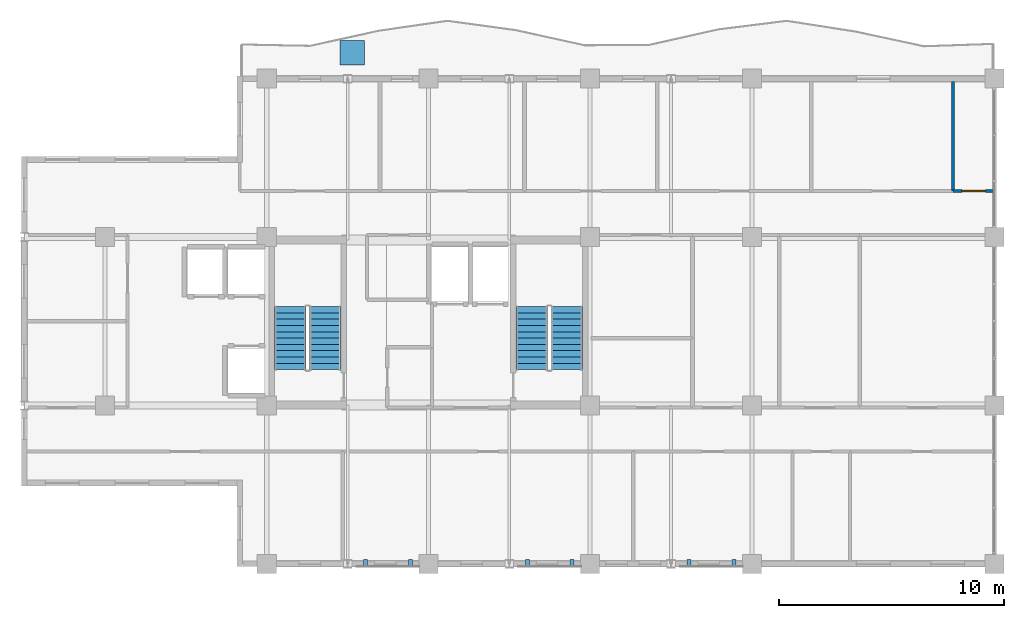
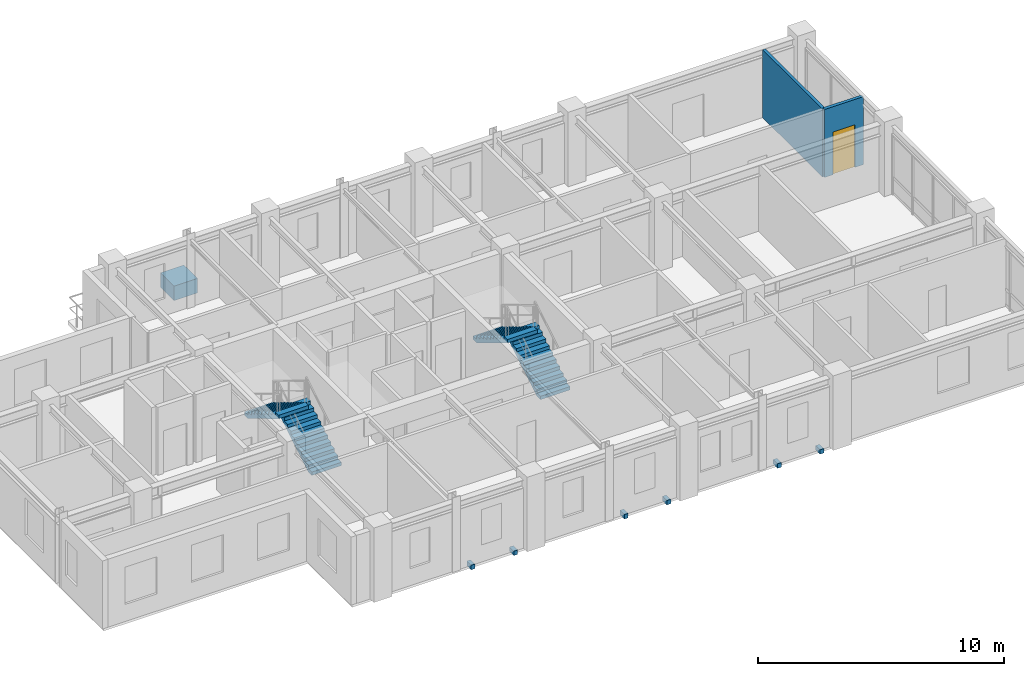
# One storey, part 9 of 10: 7 discrete accessories, 4 stair flights, 2 walls, 1 door, 1 opening, 2 elements without a shape of their own.
"""IFC4 building model written with IfcOpenShell, lengths in metres."""

from ifc_helpers import new_model, si_unit, direction, frame, frame_2d, origin, origin_2d, place, context, subcontext, project, spatial, polyline, rectangle, outline, extrude, source, transform, mapped, material, layer, layer_set, type_object, element, fill, aggregate, save


model = new_model("IFC4")

# Units and contexts
model_context = context("Model", 3, precision=1e-05, world=origin(), true_north=direction((0.0, 1.0)))
body_context = subcontext(model_context, "Body", "Model", "MODEL_VIEW")
ifc_project = project(units=[si_unit("LENGTHUNIT", "METRE"), si_unit("AREAUNIT", "SQUARE_METRE"), si_unit("VOLUMEUNIT", "CUBIC_METRE"), si_unit("PLANEANGLEUNIT", "RADIAN"), si_unit("MASSUNIT", "GRAM", prefix="KILO")], contexts=[model_context])

# Site, building, storey
site_placement = place(None, origin())
site = spatial("IfcSite", under=ifc_project, at=site_placement, CompositionType="ELEMENT")
building_placement = place(site_placement, origin())
building = spatial("IfcBuilding", under=site, at=building_placement, Name="Kaliganga Portal Commons", CompositionType="ELEMENT")
storey_placement = place(building_placement, frame((0.0, 0.0, 294.300048828125)))
storey = spatial("IfcBuildingStorey", under=building, at=storey_placement, Name="L76", CompositionType="ELEMENT", Elevation=294.300048828125)

# Wall, opening, door
ifc_material_1 = material(Name="Fire-Rated Gypsum Board on Steel Stud", Category="steel")
ifc_layer_1 = layer(ifc_material_1, 0.14990234375)
ifc_layer_set_1 = layer_set([ifc_layer_1], Name="Fire-Rated Gypsum Board on Steel Stud")
wall_type_1 = type_object("IfcWallType", Name="WL-PART-CORR-150", PredefinedType="PARTITIONING", material=ifc_layer_set_1)
wall_1_placement = place(storey_placement, frame((44.9599609375, 38.199951171875, 0.0), z_axis=(0.0, 0.0, 1.0), x_axis=(1.0, 0.0, 0.0)))
wall_1 = element("IfcWall", 1, at=wall_1_placement, inside=storey, type_object=wall_type_1, Name="Interior Partition L76-032", PredefinedType="PARTITIONING", context=body_context, shape_type="SweptSolid", body=[
    extrude(rectangle(XDim=1.820068359375, YDim=0.14990234375, at=frame_2d((0.91015625, 0.0))), origin(), (0.0, 0.0, 1.0), 3.3798828125),
])
opening_placement = place(wall_1_placement, frame((0.385009765625, 0.0, 0.0)))
opening = element("IfcOpeningElement", 2, at=opening_placement, cuts=wall_1, Name="Opening UD-02", PredefinedType="OPENING", context=body_context, shape_type="SweptSolid", body=[
    extrude(rectangle(XDim=1.050048828125, YDim=2.1201171875, at=frame_2d((0.52490234375, 1.06005859375))), frame((0.0, 0.0849609375, 0.0), z_axis=(0.0, -1.0, 0.0), x_axis=(1.0, 0.0, 0.0)), (0.0, 0.0, 1.0), 0.169921875),
])
ifc_material_2 = material(Name="Accessible Wide-Leaf Acoustic Fire Door", Category="wood")
door_type = type_object("IfcDoorType", Name="DR-ACC-1050", OperationType="NOTDEFINED", PredefinedType="DOOR", material=ifc_material_2)
door_placement = place(opening_placement, origin())
door = element("IfcDoor", 3, at=door_placement, inside=storey, type_object=door_type, Name="Interior Door L76-AN06", OperationType="SINGLE_SWING_RIGHT", OverallHeight=2.1201171875, OverallWidth=1.050048828125, PredefinedType="DOOR", context=body_context, shape_type="SweptSolid", body=[
    extrude(rectangle(XDim=1.050048828125, YDim=2.1201171875, at=frame_2d((0.52490234375, 1.06005859375))), frame((0.0, 0.02490234375, 0.0), z_axis=(0.0, -1.0, 0.0), x_axis=(1.0, 0.0, 0.0)), (0.0, 0.0, 1.0), 0.050048828125),
])
fill(opening, door)

# Wall
ifc_material_3 = material(Name="Cement-Board Wet-Room Partition", Category="gypsum")
ifc_layer_2 = layer(ifc_material_3, 0.135009765625)
ifc_layer_set_2 = layer_set([ifc_layer_2], Name="Cement-Board Wet-Room Partition")
wall_type_2 = type_object("IfcWallType", Name="WL-PART-WET-135", PredefinedType="PARTITIONING", material=ifc_layer_set_2)
wall_2_placement = place(storey_placement, frame((44.9599609375, 38.199951171875, 0.0), z_axis=(0.0, 0.0, 1.0), x_axis=(0.0, 1.0, 0.0)))
element("IfcWall", 4, at=wall_2_placement, inside=storey, type_object=wall_type_2, Name="Interior Partition L76-045", PredefinedType="PARTITIONING", context=body_context, shape_type="SweptSolid", body=[
    extrude(rectangle(XDim=4.8681640625, YDim=0.135009765625, at=frame_2d((2.43408203125, 0.0))), origin(), (0.0, 0.0, 1.0), 3.3798828125),
])

# Stair, stair flights
ifc_material_4 = material(Name="Concrete C40/50", Category="concrete")
stair_type = type_object("IfcStairType", Name="ST-CORE-DOGLEG", PredefinedType="HALF_TURN_STAIR", material=ifc_material_4)
stair_1_placement = place(storey_placement, origin())
stair_1 = element("IfcStair", 5, at=stair_1_placement, inside=storey, type_object=stair_type, Name="L76 Protected Exit Stair ST-A1", PredefinedType="HALF_TURN_STAIR")
stair_flight_type = type_object("IfcStairFlightType", Name="STF-RC-1400", PredefinedType="STRAIGHT", material=ifc_material_4)
stair_flight_1_placement = place(storey_placement, frame((17.0, 30.25, 0.0), z_axis=(0.0, 0.0, 1.0), x_axis=(0.0, 1.0, 0.0)))
stair_flight_1 = element("IfcStairFlight", 6, at=stair_flight_1_placement, type_object=stair_flight_type, Name="ST-A1 flight 1", NumberOfRisers=11, NumberOfTreads=10, PredefinedType="STRAIGHT", RiserHeight=0.168181818, TreadLength=0.28, context=body_context, shape_type="SweptSolid", body=[
    extrude(outline(polyline([(0.0, 0.0), (0.0, 0.168212890625), (0.280029296875, 0.168212890625), (0.280029296875, 0.33642578125), (0.56005859375, 0.33642578125), (0.56005859375, 0.504638671875), (0.840087890625, 0.504638671875), (0.840087890625, 0.672607421875), (1.1201171875, 0.672607421875), (1.1201171875, 0.8408203125), (1.39990234375, 0.8408203125), (1.39990234375, 1.009033203125), (1.679931640625, 1.009033203125), (1.679931640625, 1.17724609375), (1.9599609375, 1.17724609375), (1.9599609375, 1.345458984375), (2.239990234375, 1.345458984375), (2.239990234375, 1.513671875), (2.52001953125, 1.513671875), (2.52001953125, 1.681884765625), (2.800048828125, 1.681884765625), (2.800048828125, 1.85009765625), (2.800048828125, 1.5068359375), (0.291015625, 0.0), (0.0, 0.0)])), frame((0.0, 0.699951171875, 0.0), z_axis=(0.0, -1.0, 0.0), x_axis=(1.0, 0.0, 0.0)), (0.0, 0.0, 1.0), 1.39990234375),
])
stair_flight_2_placement = place(storey_placement, frame((15.449951171875, 33.050048828125, 1.849853515625), z_axis=(0.0, 0.0, 1.0), x_axis=(0.0, -1.0, 0.0)))
stair_flight_2 = element("IfcStairFlight", 7, at=stair_flight_2_placement, type_object=stair_flight_type, Name="ST-A1 flight 2", NumberOfRisers=11, NumberOfTreads=10, PredefinedType="STRAIGHT", RiserHeight=0.168181818, TreadLength=0.28, context=body_context, shape_type="SweptSolid", body=[
    extrude(outline(polyline([(0.0, 0.0), (0.0, 0.168212890625), (0.280029296875, 0.168212890625), (0.280029296875, 0.33642578125), (0.56005859375, 0.33642578125), (0.56005859375, 0.504638671875), (0.840087890625, 0.504638671875), (0.840087890625, 0.672607421875), (1.1201171875, 0.672607421875), (1.1201171875, 0.8408203125), (1.39990234375, 0.8408203125), (1.39990234375, 1.009033203125), (1.679931640625, 1.009033203125), (1.679931640625, 1.17724609375), (1.9599609375, 1.17724609375), (1.9599609375, 1.345458984375), (2.239990234375, 1.345458984375), (2.239990234375, 1.513671875), (2.52001953125, 1.513671875), (2.52001953125, 1.681884765625), (2.800048828125, 1.681884765625), (2.800048828125, 1.85009765625), (2.800048828125, 1.5068359375), (0.291015625, 0.0), (0.0, 0.0)])), frame((0.0, 0.699951171875, 0.0), z_axis=(0.0, -1.0, 0.0), x_axis=(1.0, 0.0, 0.0)), (0.0, 0.0, 1.0), 1.39990234375),
])
aggregate(stair_1, [stair_flight_1, stair_flight_2])

stair_2_placement = place(storey_placement, origin())
stair_2 = element("IfcStair", 8, at=stair_2_placement, inside=storey, type_object=stair_type, Name="L76 Protected Exit Stair ST-A2", PredefinedType="HALF_TURN_STAIR")
stair_flight_3_placement = place(storey_placement, frame((27.75, 30.25, 0.0), z_axis=(0.0, 0.0, 1.0), x_axis=(0.0, 1.0, 0.0)))
stair_flight_3 = element("IfcStairFlight", 9, at=stair_flight_3_placement, type_object=stair_flight_type, Name="ST-A2 flight 1", NumberOfRisers=11, NumberOfTreads=10, PredefinedType="STRAIGHT", RiserHeight=0.168181818, TreadLength=0.28, context=body_context, shape_type="SweptSolid", body=[
    extrude(outline(polyline([(0.0, 0.0), (0.0, 0.168212890625), (0.280029296875, 0.168212890625), (0.280029296875, 0.33642578125), (0.56005859375, 0.33642578125), (0.56005859375, 0.504638671875), (0.840087890625, 0.504638671875), (0.840087890625, 0.672607421875), (1.1201171875, 0.672607421875), (1.1201171875, 0.8408203125), (1.39990234375, 0.8408203125), (1.39990234375, 1.009033203125), (1.679931640625, 1.009033203125), (1.679931640625, 1.17724609375), (1.9599609375, 1.17724609375), (1.9599609375, 1.345458984375), (2.239990234375, 1.345458984375), (2.239990234375, 1.513671875), (2.52001953125, 1.513671875), (2.52001953125, 1.681884765625), (2.800048828125, 1.681884765625), (2.800048828125, 1.85009765625), (2.800048828125, 1.5068359375), (0.291015625, 0.0), (0.0, 0.0)])), frame((0.0, 0.699951171875, 0.0), z_axis=(0.0, -1.0, 0.0), x_axis=(1.0, 0.0, 0.0)), (0.0, 0.0, 1.0), 1.39990234375),
])
stair_flight_4_placement = place(storey_placement, frame((26.199951171875, 33.050048828125, 1.849853515625), z_axis=(0.0, 0.0, 1.0), x_axis=(0.0, -1.0, 0.0)))
stair_flight_4 = element("IfcStairFlight", 10, at=stair_flight_4_placement, type_object=stair_flight_type, Name="ST-A2 flight 2", NumberOfRisers=11, NumberOfTreads=10, PredefinedType="STRAIGHT", RiserHeight=0.168181818, TreadLength=0.28, context=body_context, shape_type="SweptSolid", body=[
    extrude(outline(polyline([(0.0, 0.0), (0.0, 0.168212890625), (0.280029296875, 0.168212890625), (0.280029296875, 0.33642578125), (0.56005859375, 0.33642578125), (0.56005859375, 0.504638671875), (0.840087890625, 0.504638671875), (0.840087890625, 0.672607421875), (1.1201171875, 0.672607421875), (1.1201171875, 0.8408203125), (1.39990234375, 0.8408203125), (1.39990234375, 1.009033203125), (1.679931640625, 1.009033203125), (1.679931640625, 1.17724609375), (1.9599609375, 1.17724609375), (1.9599609375, 1.345458984375), (2.239990234375, 1.345458984375), (2.239990234375, 1.513671875), (2.52001953125, 1.513671875), (2.52001953125, 1.681884765625), (2.800048828125, 1.681884765625), (2.800048828125, 1.85009765625), (2.800048828125, 1.5068359375), (0.291015625, 0.0), (0.0, 0.0)])), frame((0.0, 0.699951171875, 0.0), z_axis=(0.0, -1.0, 0.0), x_axis=(1.0, 0.0, 0.0)), (0.0, 0.0, 1.0), 1.39990234375),
])
aggregate(stair_2, [stair_flight_3, stair_flight_4])

# Discrete accessories
ifc_material_5 = material(Name="Precast concrete C40/50", Category="concrete")
discrete_accessory_type_1 = type_object("IfcDiscreteAccessoryType", Name="DAC-PLANTER-RC", PredefinedType="USERDEFINED", material=ifc_material_5)
shared_shape_1 = source(origin(), body_context, "Body", "SweptSolid", [
    extrude(rectangle(XDim=1.10009765625, YDim=1.10009765625, at=origin_2d()), origin(), (0.0, 0.0, 1.0), 0.719970703125),
])
discrete_accessory_placement = place(storey_placement, frame((18.199951171875, 44.35009765625, 0.0), z_axis=(0.0, 0.0, 1.0), x_axis=(1.0, 0.0, 0.0)))
element("IfcDiscreteAccessory", 11, at=discrete_accessory_placement, inside=storey, type_object=discrete_accessory_type_1, Name="Structural Tree Planter L76 balc_north", ObjectType="PLANTER", PredefinedType="USERDEFINED", context=body_context, shape_type="MappedRepresentation", body=[
    mapped(shared_shape_1, transform((0.0, 0.0, 0.0), x_axis=(1.0, 0.0, 0.0), y_axis=(0.0, 1.0, 0.0), z_axis=(0.0, 0.0, 1.0), scale=1.0)),
])
ifc_material_6 = material(Name="Structural steel S355J2", Category="steel")
discrete_accessory_type_2 = type_object("IfcDiscreteAccessoryType", Name="DAC-BRK-SCR", PredefinedType="BRACKET", material=ifc_material_6)
shared_shape_2 = source(origin(), body_context, "Body", "SweptSolid", [
    extrude(rectangle(XDim=0.179931640625, YDim=0.360107421875, at=origin_2d()), origin(), (0.0, 0.0, 1.0), 0.219970703125),
])
for number, where, z_axis, x_axis, name in (
    (12, (18.800048828125, 21.6201171875, -0.18994140625), (0.0, 0.0, 1.0), (1.0, 0.0, 0.0), "Solar Screen Outrigger Bracket L76-S1-1"),
    (13, (20.800048828125, 21.6201171875, -0.18994140625), (0.0, 0.0, 1.0), (1.0, 0.0, 0.0), "Solar Screen Outrigger Bracket L76-S1-2"),
    (14, (26.0, 21.6201171875, -0.18994140625), (0.0, 0.0, 1.0), (1.0, 0.0, 0.0), "Solar Screen Outrigger Bracket L76-S2-1"),
    (15, (28.0, 21.6201171875, -0.18994140625), (0.0, 0.0, 1.0), (1.0, 0.0, 0.0), "Solar Screen Outrigger Bracket L76-S2-2"),
    (16, (33.199951171875, 21.6201171875, -0.18994140625), (0.0, 0.0, 1.0), (1.0, 0.0, 0.0), "Solar Screen Outrigger Bracket L76-S3-1"),
    (17, (35.199951171875, 21.6201171875, -0.18994140625), (0.0, 0.0, 1.0), (1.0, 0.0, 0.0), "Solar Screen Outrigger Bracket L76-S3-2"),
):
    element("IfcDiscreteAccessory", number, at=place(storey_placement, frame(where, z_axis=z_axis, x_axis=x_axis)), inside=storey, type_object=discrete_accessory_type_2, Name=name, PredefinedType="BRACKET", context=body_context, shape_type="MappedRepresentation", body=[
        mapped(shared_shape_2, transform((0.0, 0.0, 0.0), x_axis=(1.0, 0.0, 0.0), y_axis=(0.0, 1.0, 0.0), z_axis=(0.0, 0.0, 1.0), scale=1.0)),
    ])

save(model, "model.ifc")
